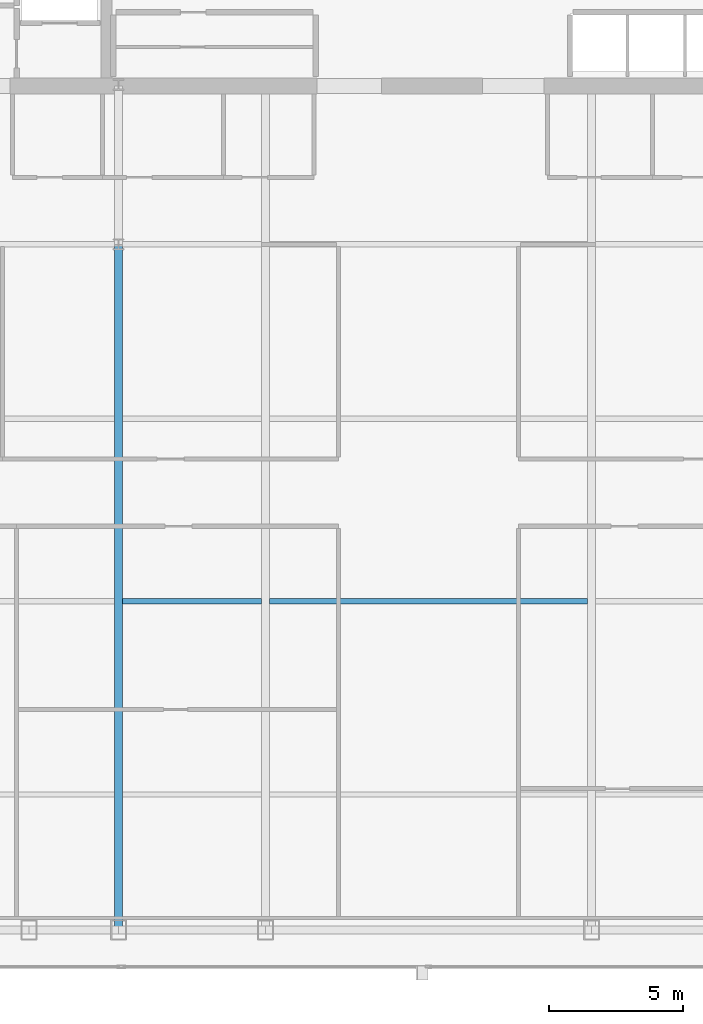
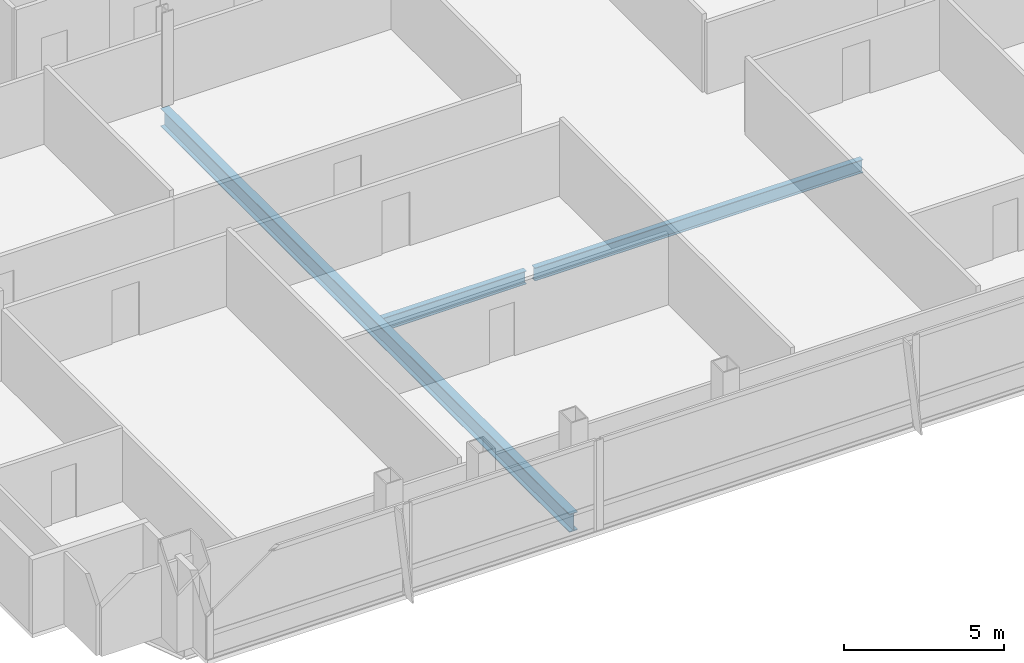
# One storey, part 9 of 32: 3 beams.
"""IFC4 building model written with IfcOpenShell, lengths in metres."""

from ifc_helpers import new_model, si_unit, direction, frame, origin, origin_2d, place, context, subcontext, project, spatial, i_section, extrude, material, material_profile, profile_set, type_object, element, save


model = new_model("IFC4")

# Units and contexts
model_context = context("Model", 3, precision=1e-05, world=origin(), true_north=direction((0.0, 1.0)))
body_context = subcontext(model_context, "Body", "Model", "MODEL_VIEW")
ifc_project = project(units=[si_unit("LENGTHUNIT", "METRE"), si_unit("AREAUNIT", "SQUARE_METRE"), si_unit("VOLUMEUNIT", "CUBIC_METRE"), si_unit("PLANEANGLEUNIT", "RADIAN"), si_unit("MASSUNIT", "GRAM", prefix="KILO")], contexts=[model_context])

# Site, building, storey
site_placement = place(None, origin())
site = spatial("IfcSite", under=ifc_project, at=site_placement, CompositionType="ELEMENT")
building_placement = place(site_placement, origin())
building = spatial("IfcBuilding", under=site, at=building_placement, Name="Khoronbel Lancet Exchange", CompositionType="ELEMENT")
storey_placement = place(building_placement, frame((0.0, 0.0, 192.199951171875)))
storey = spatial("IfcBuildingStorey", under=building, at=storey_placement, Name="L48", CompositionType="ELEMENT", Elevation=192.199951171875)

# Beams
ifc_material = material(Name="Steel S355", Category="steel")
ifc_material_profile_1 = material_profile(ifc_material, i_section(OverallWidth=0.300048828125, OverallDepth=0.699951171875, WebThickness=0.01708984375, FlangeThickness=0.031982421875, at=origin_2d()), Name="HEB 700")
ifc_profile_set_1 = profile_set([ifc_material_profile_1], Name="Steel S355")
beam_type_1 = type_object("IfcBeamType", Name="BM-BG3", PredefinedType="BEAM", material=ifc_profile_set_1)
beam_1_placement = place(storey_placement, frame((24.89990234375, 10.14990234375, -0.510009765625), z_axis=(0.0, 1.0, 0.0), x_axis=(-1.0, 0.0, 0.0)))
element("IfcBeam", 1, at=beam_1_placement, inside=storey, type_object=beam_type_1, Name="Level L48 south primary girder GS2", PredefinedType="BEAM", context=body_context, shape_type="SweptSolid", body=[
    extrude(i_section(OverallWidth=0.300048828125, OverallDepth=0.699951171875, WebThickness=0.01708984375, FlangeThickness=0.031982421875, at=origin_2d()), origin(), (0.0, 0.0, 1.0), 25.550048828125),
])
ifc_material_profile_2 = material_profile(ifc_material, i_section(OverallWidth=0.199951171875, OverallDepth=0.5, WebThickness=0.01025390625, FlangeThickness=0.01611328125, at=origin_2d()), Name="IPE 500")
ifc_profile_set_2 = profile_set([ifc_material_profile_2], Name="Steel S355")
beam_type_2 = type_object("IfcBeamType", Name="BM-BJ3", PredefinedType="JOIST", material=ifc_profile_set_2)
beam_2_placement = place(storey_placement, frame((25.050048828125, 22.39990234375, -0.409912109375), z_axis=(1.0, 0.0, 0.0), x_axis=(0.0, 1.0, 0.0)))
element("IfcBeam", 2, at=beam_2_placement, inside=storey, type_object=beam_type_2, Name="Level L48 secondary composite joist J07", PredefinedType="JOIST", context=body_context, shape_type="SweptSolid", body=[
    extrude(i_section(OverallWidth=0.199951171875, OverallDepth=0.5, WebThickness=0.01025390625, FlangeThickness=0.01611328125, at=origin_2d()), origin(), (0.0, 0.0, 1.0), 5.175048828125),
])
beam_3_placement = place(storey_placement, frame((30.52490234375, 22.39990234375, -0.409912109375), z_axis=(1.0, 0.0, 0.0), x_axis=(0.0, 1.0, 0.0)))
element("IfcBeam", 3, at=beam_3_placement, inside=storey, type_object=beam_type_2, Name="Level L48 secondary composite joist J08", PredefinedType="JOIST", context=body_context, shape_type="SweptSolid", body=[
    extrude(i_section(OverallWidth=0.199951171875, OverallDepth=0.5, WebThickness=0.01025390625, FlangeThickness=0.01611328125, at=origin_2d()), origin(), (0.0, 0.0, 1.0), 11.85009765625),
])

save(model, "model.ifc")
